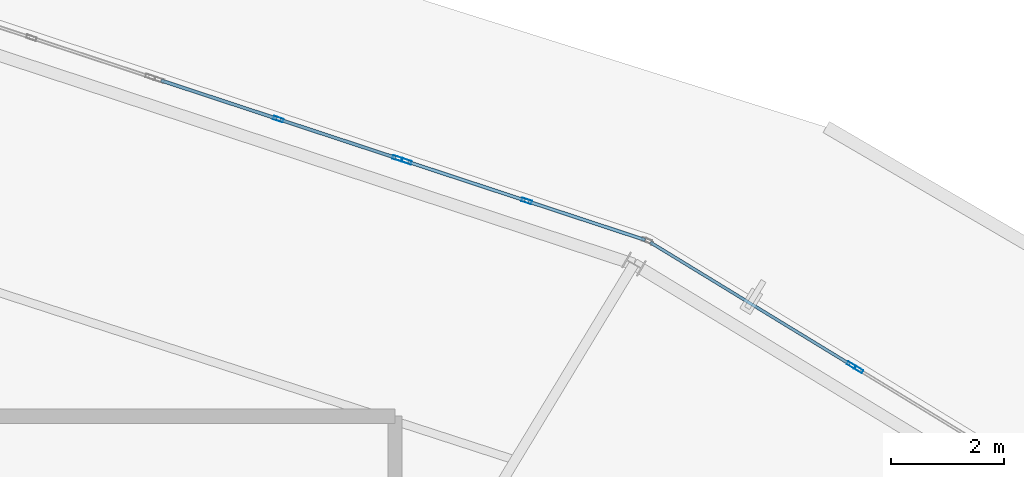
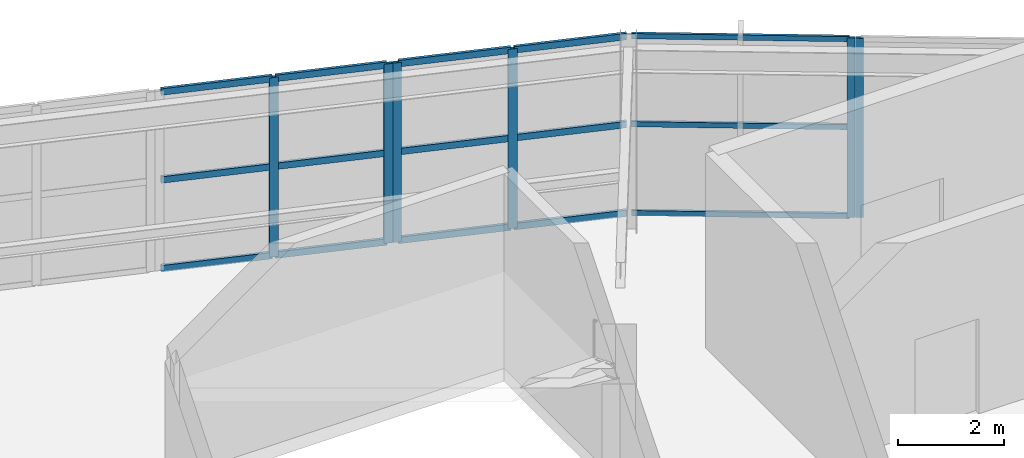
# One storey, part 78 of 126: 21 members, 4 elements without a shape of their own.
"""IFC4 building model written with IfcOpenShell, lengths in metres."""

from ifc_helpers import new_model, si_unit, direction, frame, origin, origin_2d, place, context, subcontext, project, spatial, hollow_rectangle, extrude, material, layer, layer_set, material_profile, profile_set, type_object, element, aggregate, save


model = new_model("IFC4")

# Units and contexts
model_context = context("Model", 3, precision=1e-05, world=origin(), true_north=direction((0.0, 1.0)))
body_context = subcontext(model_context, "Body", "Model", "MODEL_VIEW")
ifc_project = project(units=[si_unit("LENGTHUNIT", "METRE"), si_unit("AREAUNIT", "SQUARE_METRE"), si_unit("VOLUMEUNIT", "CUBIC_METRE"), si_unit("PLANEANGLEUNIT", "RADIAN"), si_unit("MASSUNIT", "GRAM", prefix="KILO")], contexts=[model_context])

# Site, building, storey
site_placement = place(None, origin())
site = spatial("IfcSite", under=ifc_project, at=site_placement, CompositionType="ELEMENT")
building_placement = place(site_placement, origin())
building = spatial("IfcBuilding", under=site, at=building_placement, Name="Kalgoora Escarpment Arena", CompositionType="ELEMENT")
storey_placement = place(building_placement, frame((0.0, 0.0, 18.89990234375)))
storey = spatial("IfcBuildingStorey", under=building, at=storey_placement, Name="L04", CompositionType="ELEMENT", Elevation=18.89990234375)

# Curtain wall, member
ifc_material_1 = material(Name=" Champagne anodised aluminium & double-glazed low-E", Category="aluminium")
ifc_layer_1 = layer(ifc_material_1, 0.154052734375)
ifc_layer_set_1 = layer_set([ifc_layer_1], Name="CW-UNIT-11")
curtain_wall_type_1 = type_object("IfcCurtainWallType", Name="CW-UNIT-11", PredefinedType="NOTDEFINED", material=ifc_layer_set_1)
curtain_wall_1_placement = place(storey_placement, origin())
curtain_wall_1 = element("IfcCurtainWall", 1, at=curtain_wall_1_placement, inside=storey, type_object=curtain_wall_type_1, Name="L04 unitised facade curtain wall 170", PredefinedType="NOTDEFINED")
ifc_material_2 = material(Name="Anodised aluminium 6063-T6", Category="aluminium")
ifc_material_profile_1 = material_profile(ifc_material_2, hollow_rectangle(XDim=0.06005859375, YDim=0.14990234375, WallThickness=0.00341796875, at=origin_2d()))
ifc_profile_set_1 = profile_set([ifc_material_profile_1], Name="Anodised aluminium 6063-T6")
member_type_1 = type_object("IfcMemberType", Name="MEM-CW-MULL-150", PredefinedType="MULLION", material=ifc_profile_set_1)
member_1_placement = place(storey_placement, frame((132.14111328125, 111.580810546875, 0.02001953125), z_axis=(0.0, 0.0, 1.0), x_axis=(0.521058961304, 0.853520684485, 0.0)))
member_1 = element("IfcMember", 2, at=member_1_placement, type_object=member_type_1, Name="CW-11 mullion 2", PredefinedType="MULLION", context=body_context, shape_type="SweptSolid", body=[
    extrude(hollow_rectangle(XDim=0.06005859375, YDim=0.14990234375, WallThickness=0.00341796875, at=origin_2d()), origin(), (0.0, 0.0, 1.0), 4.150146484375),
])

ifc_material_3 = material(Name=" Champagne anodised aluminium & double-glazed low-E", Category="aluminium")
ifc_layer_2 = layer(ifc_material_3, 0.157958984375)
ifc_layer_set_2 = layer_set([ifc_layer_2], Name="CW-UNIT-12")
curtain_wall_type_2 = type_object("IfcCurtainWallType", Name="CW-UNIT-12", PredefinedType="NOTDEFINED", material=ifc_layer_set_2)
curtain_wall_2_placement = place(storey_placement, origin())
curtain_wall_2 = element("IfcCurtainWall", 3, at=curtain_wall_2_placement, inside=storey, type_object=curtain_wall_type_2, Name="L04 unitised facade curtain wall 171", PredefinedType="NOTDEFINED")
member_2_placement = place(storey_placement, frame((132.277587890625, 111.49755859375, 0.02001953125), z_axis=(0.0, 0.0, 1.0), x_axis=(0.521048501858, 0.853527069701, 0.0)))
member_2 = element("IfcMember", 4, at=member_2_placement, type_object=member_type_1, Name="CW-12 mullion 1", PredefinedType="MULLION", context=body_context, shape_type="SweptSolid", body=[
    extrude(hollow_rectangle(XDim=0.06005859375, YDim=0.14990234375, WallThickness=0.00341796875, at=origin_2d()), origin(), (0.0, 0.0, 1.0), 4.150146484375),
])
aggregate(curtain_wall_2, [member_2])

# Curtain wall, members
ifc_material_4 = material(Name=" Champagne anodised aluminium & double-glazed low-E", Category="aluminium")
ifc_layer_3 = layer(ifc_material_4, 0.166015625)
ifc_layer_set_3 = layer_set([ifc_layer_3], Name="CW-UNIT-09")
curtain_wall_type_3 = type_object("IfcCurtainWallType", Name="CW-UNIT-09", PredefinedType="NOTDEFINED", material=ifc_layer_set_3)
curtain_wall_3_placement = place(storey_placement, origin())
curtain_wall_3 = element("IfcCurtainWall", 5, at=curtain_wall_3_placement, inside=storey, type_object=curtain_wall_type_3, Name="L04 unitised facade curtain wall 168", PredefinedType="NOTDEFINED")
ifc_material_5 = material(Name="Anodised aluminium 6063-T6", Category="aluminium")
ifc_material_profile_2 = material_profile(ifc_material_5, hollow_rectangle(XDim=0.06494140625, YDim=0.179931640625, WallThickness=0.00390625, at=origin_2d()))
ifc_profile_set_2 = profile_set([ifc_material_profile_2], Name="Anodised aluminium 6063-T6")
member_type_2 = type_object("IfcMemberType", Name="MEM-CW-MULL-180", PredefinedType="MULLION", material=ifc_profile_set_2)
member_3_placement = place(storey_placement, frame((122.014404296875, 115.927001953125, 0.02001953125), z_axis=(0.0, 0.0, 1.0), x_axis=(0.312989939956, 0.94975644114, 0.0)))
member_3 = element("IfcMember", 6, at=member_3_placement, type_object=member_type_2, Name="CW-09 mullion 2", PredefinedType="MULLION", context=body_context, shape_type="SweptSolid", body=[
    extrude(hollow_rectangle(XDim=0.06494140625, YDim=0.179931640625, WallThickness=0.00390625, at=origin_2d()), origin(), (0.0, 0.0, 1.0), 4.150146484375),
])
member_4_placement = place(storey_placement, frame((124.11865234375, 115.2333984375, 0.02001953125), z_axis=(0.0, 0.0, 1.0), x_axis=(0.312989939956, 0.94975644114, 0.0)))
member_4 = element("IfcMember", 7, at=member_4_placement, type_object=member_type_2, Name="CW-09 mullion 3", PredefinedType="MULLION", context=body_context, shape_type="SweptSolid", body=[
    extrude(hollow_rectangle(XDim=0.06494140625, YDim=0.179931640625, WallThickness=0.00390625, at=origin_2d()), origin(), (0.0, 0.0, 1.0), 4.150146484375),
])

ifc_material_6 = material(Name=" Champagne anodised aluminium & double-glazed low-E", Category="aluminium")
ifc_layer_4 = layer(ifc_material_6, 0.14990234375)
ifc_layer_set_4 = layer_set([ifc_layer_4], Name="CW-UNIT-10")
curtain_wall_type_4 = type_object("IfcCurtainWallType", Name="CW-UNIT-10", PredefinedType="NOTDEFINED", material=ifc_layer_set_4)
curtain_wall_4_placement = place(storey_placement, origin())
curtain_wall_4 = element("IfcCurtainWall", 8, at=curtain_wall_4_placement, inside=storey, type_object=curtain_wall_type_4, Name="L04 unitised facade curtain wall 169", PredefinedType="NOTDEFINED")
member_5_placement = place(storey_placement, frame((124.275390625, 115.181884765625, 0.02001953125), z_axis=(0.0, 0.0, 1.0), x_axis=(0.312985861452, 0.949757785191, 0.0)))
member_5 = element("IfcMember", 9, at=member_5_placement, type_object=member_type_2, Name="CW-10 mullion 1", PredefinedType="MULLION", context=body_context, shape_type="SweptSolid", body=[
    extrude(hollow_rectangle(XDim=0.06494140625, YDim=0.179931640625, WallThickness=0.00390625, at=origin_2d()), origin(), (0.0, 0.0, 1.0), 4.150146484375),
])
member_6_placement = place(storey_placement, frame((126.403564453125, 114.48046875, 0.02001953125), z_axis=(0.0, 0.0, 1.0), x_axis=(0.312985861452, 0.949757785191, 0.0)))
member_6 = element("IfcMember", 10, at=member_6_placement, type_object=member_type_2, Name="CW-10 mullion 2", PredefinedType="MULLION", context=body_context, shape_type="SweptSolid", body=[
    extrude(hollow_rectangle(XDim=0.06494140625, YDim=0.179931640625, WallThickness=0.00390625, at=origin_2d()), origin(), (0.0, 0.0, 1.0), 4.150146484375),
])

# Member
ifc_material_7 = material(Name="Anodised aluminium 6063-T6", Category="aluminium")
ifc_material_profile_3 = material_profile(ifc_material_7, hollow_rectangle(XDim=0.054931640625, YDim=0.1201171875, WallThickness=0.003173828125, at=origin_2d()))
ifc_profile_set_3 = profile_set([ifc_material_profile_3], Name="Anodised aluminium 6063-T6")
member_type_3 = type_object("IfcMemberType", Name="MEM-CW-TRAN-120", PredefinedType="USERDEFINED", material=ifc_profile_set_3)
member_7_placement = place(storey_placement, frame((128.588623046875, 113.74951171875, 0.047607421875), z_axis=(0.853521264448, -0.521058011295, 0.0), x_axis=(0.521058011295, 0.853521264448, 0.0)))
member_7 = element("IfcMember", 11, at=member_7_placement, type_object=member_type_3, Name="CW-11 transom 1.1", ObjectType="TRANSOM", PredefinedType="USERDEFINED", context=body_context, shape_type="SweptSolid", body=[
    extrude(hollow_rectangle(XDim=0.054931640625, YDim=0.1201171875, WallThickness=0.003173828125, at=origin_2d()), origin(), (0.0, 0.0, 1.0), 4.132080078125),
])

member_8_placement = place(storey_placement, frame((128.588623046875, 113.74951171875, 2.10498046875), z_axis=(0.853521264448, -0.521058011295, 0.0), x_axis=(0.521058011295, 0.853521264448, 0.0)))
member_8 = element("IfcMember", 12, at=member_8_placement, type_object=member_type_3, Name="CW-11 transom 1.2", ObjectType="TRANSOM", PredefinedType="USERDEFINED", context=body_context, shape_type="SweptSolid", body=[
    extrude(hollow_rectangle(XDim=0.054931640625, YDim=0.1201171875, WallThickness=0.003173828125, at=origin_2d()), origin(), (0.0, 0.0, 1.0), 4.132080078125),
])

member_9_placement = place(storey_placement, frame((128.588623046875, 113.74951171875, 4.142578125), z_axis=(0.853521264448, -0.521058011295, 0.0), x_axis=(0.521058011295, 0.853521264448, 0.0)))
member_9 = element("IfcMember", 13, at=member_9_placement, type_object=member_type_3, Name="CW-11 transom 1.3", ObjectType="TRANSOM", PredefinedType="USERDEFINED", context=body_context, shape_type="SweptSolid", body=[
    extrude(hollow_rectangle(XDim=0.054931640625, YDim=0.1201171875, WallThickness=0.003173828125, at=origin_2d()), origin(), (0.0, 0.0, 1.0), 4.132080078125),
])

aggregate(curtain_wall_1, [member_1, member_7, member_8, member_9])

ifc_material_8 = material(Name="Anodised aluminium 6063-T6", Category="aluminium")
ifc_material_profile_4 = material_profile(ifc_material_8, hollow_rectangle(XDim=0.06005859375, YDim=0.14990234375, WallThickness=0.00341796875, at=origin_2d()))
ifc_profile_set_4 = profile_set([ifc_material_profile_4], Name="Anodised aluminium 6063-T6")
member_type_4 = type_object("IfcMemberType", Name="MEM-CW-TRAN-150", PredefinedType="USERDEFINED", material=ifc_profile_set_4)
member_10_placement = place(storey_placement, frame((119.94091796875, 116.6103515625, 0.050048828125), z_axis=(0.949733650084, -0.313059090108, 0.0), x_axis=(0.313059090108, 0.949733650084, 0.0)))
member_10 = element("IfcMember", 14, at=member_10_placement, type_object=member_type_4, Name="CW-09 transom 1.1", ObjectType="TRANSOM", PredefinedType="USERDEFINED", context=body_context, shape_type="SweptSolid", body=[
    extrude(hollow_rectangle(XDim=0.06005859375, YDim=0.14990234375, WallThickness=0.00341796875, at=origin_2d()), origin(), (0.0, 0.0, 1.0), 2.15087890625),
])

member_11_placement = place(storey_placement, frame((119.94091796875, 116.6103515625, 2.10498046875), z_axis=(0.949733650084, -0.313059090108, 0.0), x_axis=(0.313059090108, 0.949733650084, 0.0)))
member_11 = element("IfcMember", 15, at=member_11_placement, type_object=member_type_4, Name="CW-09 transom 1.2", ObjectType="TRANSOM", PredefinedType="USERDEFINED", context=body_context, shape_type="SweptSolid", body=[
    extrude(hollow_rectangle(XDim=0.06005859375, YDim=0.14990234375, WallThickness=0.00341796875, at=origin_2d()), origin(), (0.0, 0.0, 1.0), 2.15087890625),
])

member_12_placement = place(storey_placement, frame((119.94091796875, 116.6103515625, 4.14013671875), z_axis=(0.949733650084, -0.313059090108, 0.0), x_axis=(0.313059090108, 0.949733650084, 0.0)))
member_12 = element("IfcMember", 16, at=member_12_placement, type_object=member_type_4, Name="CW-09 transom 1.3", ObjectType="TRANSOM", PredefinedType="USERDEFINED", context=body_context, shape_type="SweptSolid", body=[
    extrude(hollow_rectangle(XDim=0.06005859375, YDim=0.14990234375, WallThickness=0.00341796875, at=origin_2d()), origin(), (0.0, 0.0, 1.0), 2.15087890625),
])

member_13_placement = place(storey_placement, frame((122.045166015625, 115.916748046875, 0.050048828125), z_axis=(0.949767394709, -0.312956699798, 0.0), x_axis=(0.312956699798, 0.949767394709, 0.0)))
member_13 = element("IfcMember", 17, at=member_13_placement, type_object=member_type_4, Name="CW-09 transom 2.1", ObjectType="TRANSOM", PredefinedType="USERDEFINED", context=body_context, shape_type="SweptSolid", body=[
    extrude(hollow_rectangle(XDim=0.06005859375, YDim=0.14990234375, WallThickness=0.00341796875, at=origin_2d()), origin(), (0.0, 0.0, 1.0), 2.15087890625),
])

member_14_placement = place(storey_placement, frame((122.045166015625, 115.916748046875, 2.10498046875), z_axis=(0.949767394709, -0.312956699798, 0.0), x_axis=(0.312956699798, 0.949767394709, 0.0)))
member_14 = element("IfcMember", 18, at=member_14_placement, type_object=member_type_4, Name="CW-09 transom 2.2", ObjectType="TRANSOM", PredefinedType="USERDEFINED", context=body_context, shape_type="SweptSolid", body=[
    extrude(hollow_rectangle(XDim=0.06005859375, YDim=0.14990234375, WallThickness=0.00341796875, at=origin_2d()), origin(), (0.0, 0.0, 1.0), 2.15087890625),
])

member_15_placement = place(storey_placement, frame((122.045166015625, 115.916748046875, 4.14013671875), z_axis=(0.949767394709, -0.312956699798, 0.0), x_axis=(0.312956699798, 0.949767394709, 0.0)))
member_15 = element("IfcMember", 19, at=member_15_placement, type_object=member_type_4, Name="CW-09 transom 2.3", ObjectType="TRANSOM", PredefinedType="USERDEFINED", context=body_context, shape_type="SweptSolid", body=[
    extrude(hollow_rectangle(XDim=0.06005859375, YDim=0.14990234375, WallThickness=0.00341796875, at=origin_2d()), origin(), (0.0, 0.0, 1.0), 2.15087890625),
])

aggregate(curtain_wall_3, [member_3, member_4, member_10, member_11, member_12, member_13, member_14, member_15])

member_16_placement = place(storey_placement, frame((124.306396484375, 115.171630859375, 0.050048828125), z_axis=(0.949755146684, -0.312993867907, 0.0), x_axis=(0.312993867907, 0.949755146684, 0.0)))
member_16 = element("IfcMember", 20, at=member_16_placement, type_object=member_type_4, Name="CW-10 transom 1.1", ObjectType="TRANSOM", PredefinedType="USERDEFINED", context=body_context, shape_type="SweptSolid", body=[
    extrude(hollow_rectangle(XDim=0.06005859375, YDim=0.14990234375, WallThickness=0.00341796875, at=origin_2d()), origin(), (0.0, 0.0, 1.0), 2.175537109375),
])

member_17_placement = place(storey_placement, frame((124.306396484375, 115.171630859375, 2.10498046875), z_axis=(0.949755146684, -0.312993867907, 0.0), x_axis=(0.312993867907, 0.949755146684, 0.0)))
member_17 = element("IfcMember", 21, at=member_17_placement, type_object=member_type_4, Name="CW-10 transom 1.2", ObjectType="TRANSOM", PredefinedType="USERDEFINED", context=body_context, shape_type="SweptSolid", body=[
    extrude(hollow_rectangle(XDim=0.06005859375, YDim=0.14990234375, WallThickness=0.00341796875, at=origin_2d()), origin(), (0.0, 0.0, 1.0), 2.175537109375),
])

member_18_placement = place(storey_placement, frame((124.306396484375, 115.171630859375, 4.14013671875), z_axis=(0.949755146684, -0.312993867907, 0.0), x_axis=(0.312993867907, 0.949755146684, 0.0)))
member_18 = element("IfcMember", 22, at=member_18_placement, type_object=member_type_4, Name="CW-10 transom 1.3", ObjectType="TRANSOM", PredefinedType="USERDEFINED", context=body_context, shape_type="SweptSolid", body=[
    extrude(hollow_rectangle(XDim=0.06005859375, YDim=0.14990234375, WallThickness=0.00341796875, at=origin_2d()), origin(), (0.0, 0.0, 1.0), 2.175537109375),
])

member_19_placement = place(storey_placement, frame((126.434326171875, 114.470458984375, 0.050048828125), z_axis=(0.949766139008, -0.312960510597, 0.0), x_axis=(0.312960510597, 0.949766139008, 0.0)))
member_19 = element("IfcMember", 23, at=member_19_placement, type_object=member_type_4, Name="CW-10 transom 2.1", ObjectType="TRANSOM", PredefinedType="USERDEFINED", context=body_context, shape_type="SweptSolid", body=[
    extrude(hollow_rectangle(XDim=0.06005859375, YDim=0.14990234375, WallThickness=0.00341796875, at=origin_2d()), origin(), (0.0, 0.0, 1.0), 2.17578125),
])

member_20_placement = place(storey_placement, frame((126.434326171875, 114.470458984375, 2.10498046875), z_axis=(0.949766139008, -0.312960510597, 0.0), x_axis=(0.312960510597, 0.949766139008, 0.0)))
member_20 = element("IfcMember", 24, at=member_20_placement, type_object=member_type_4, Name="CW-10 transom 2.2", ObjectType="TRANSOM", PredefinedType="USERDEFINED", context=body_context, shape_type="SweptSolid", body=[
    extrude(hollow_rectangle(XDim=0.06005859375, YDim=0.14990234375, WallThickness=0.00341796875, at=origin_2d()), origin(), (0.0, 0.0, 1.0), 2.17578125),
])

member_21_placement = place(storey_placement, frame((126.434326171875, 114.470458984375, 4.14013671875), z_axis=(0.949766139008, -0.312960510597, 0.0), x_axis=(0.312960510597, 0.949766139008, 0.0)))
member_21 = element("IfcMember", 25, at=member_21_placement, type_object=member_type_4, Name="CW-10 transom 2.3", ObjectType="TRANSOM", PredefinedType="USERDEFINED", context=body_context, shape_type="SweptSolid", body=[
    extrude(hollow_rectangle(XDim=0.06005859375, YDim=0.14990234375, WallThickness=0.00341796875, at=origin_2d()), origin(), (0.0, 0.0, 1.0), 2.17578125),
])

aggregate(curtain_wall_4, [member_5, member_6, member_16, member_17, member_18, member_19, member_20, member_21])

save(model, "model.ifc")
